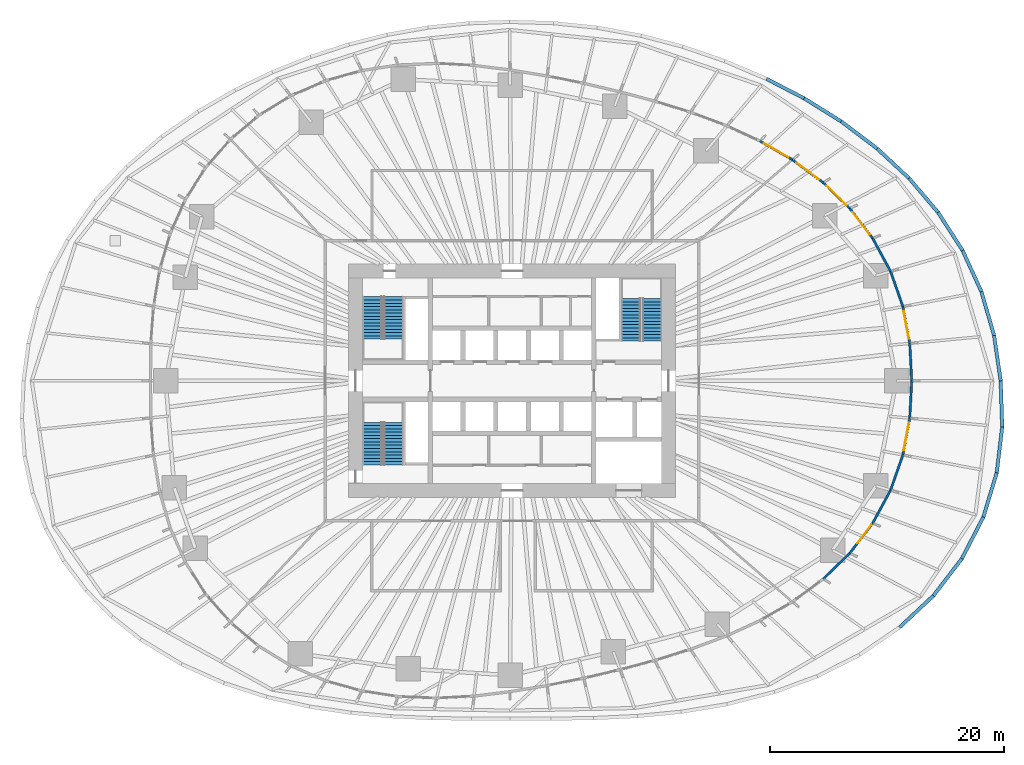
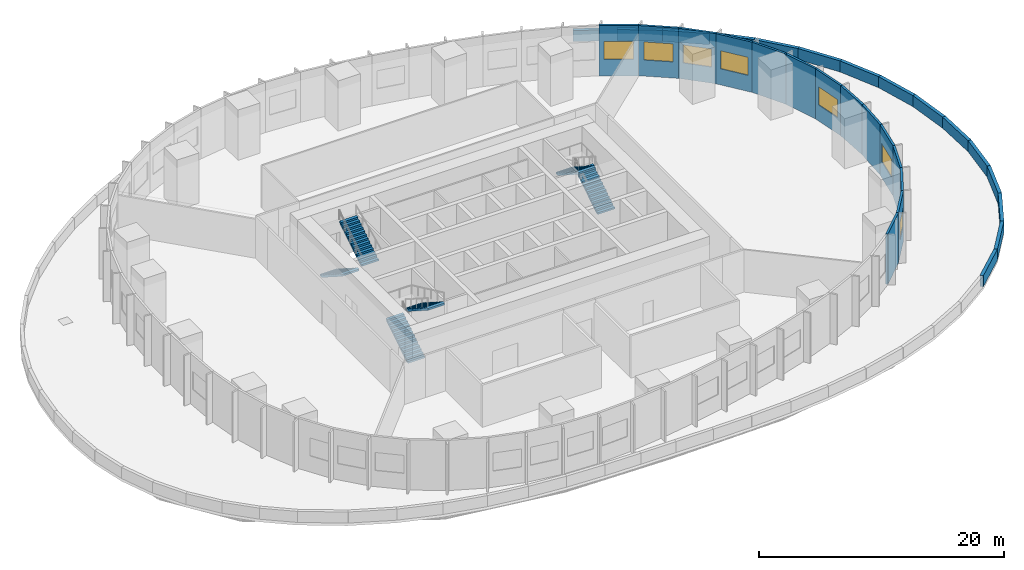
# One storey, part 10 of 11: 29 walls, 7 windows, 6 stair flights, 7 openings, 3 elements without a shape of their own.
"""IFC4 building model written with IfcOpenShell, lengths in metres."""

from ifc_helpers import new_model, si_unit, direction, frame, frame_2d, origin, place, context, subcontext, project, spatial, polyline, rectangle, outline, extrude, material, layer, layer_set, type_object, element, fill, aggregate, save


model = new_model("IFC4")

# Units and contexts
model_context = context("Model", 3, precision=1e-05, world=origin(), true_north=direction((0.0, 1.0)))
body_context = subcontext(model_context, "Body", "Model", "MODEL_VIEW")
ifc_project = project(units=[si_unit("LENGTHUNIT", "METRE"), si_unit("AREAUNIT", "SQUARE_METRE"), si_unit("VOLUMEUNIT", "CUBIC_METRE"), si_unit("PLANEANGLEUNIT", "RADIAN"), si_unit("MASSUNIT", "GRAM", prefix="KILO")], contexts=[model_context])

# Site, building, storey
site_placement = place(None, origin())
site = spatial("IfcSite", under=ifc_project, at=site_placement, CompositionType="ELEMENT")
building_placement = place(site_placement, origin())
building = spatial("IfcBuilding", under=site, at=building_placement, Name="Ghaith Harvest Tower", CompositionType="ELEMENT")
storey_placement = place(building_placement, frame((0.0, 0.0, 15.0)))
storey = spatial("IfcBuildingStorey", under=building, at=storey_placement, Name="L03", CompositionType="ELEMENT", Elevation=15.0)

# Walls
ifc_material_1 = material(Name="Concrete C40/50", Category="concrete")
ifc_layer_1 = layer(ifc_material_1, 0.300048828125)
ifc_layer_set_1 = layer_set([ifc_layer_1], Name="PARAPET 300")
wall_type_1 = type_object("IfcWallType", Name="PARAPET 300", PredefinedType="PARAPET", material=ifc_layer_set_1)
wall_1_placement = place(storey_placement, frame((41.85009765625, 0.0, 0.0), z_axis=(0.0, 0.0, 1.0), x_axis=(-0.144338621815, 0.989528353435, 0.0)))
element("IfcWall", 1, at=wall_1_placement, inside=storey, type_object=wall_type_1, Name="Parapet 01.1 L03", PredefinedType="PARAPET", context=body_context, shape_type="SweptSolid", body=[
    extrude(rectangle(XDim=3.924072265625, YDim=0.300048828125, at=frame_2d((1.9619140625, 0.0))), origin(), (0.0, 0.0, 1.0), 1.10009765625),
])
wall_2_placement = place(storey_placement, frame((41.28369140625, 3.883056640625, 0.0), z_axis=(0.0, 0.0, 1.0), x_axis=(-0.277547355965, 0.960711957455, 0.0)))
element("IfcWall", 2, at=wall_2_placement, inside=storey, type_object=wall_type_1, Name="Parapet 01.2 L03", PredefinedType="PARAPET", context=body_context, shape_type="SweptSolid", body=[
    extrude(rectangle(XDim=3.900390625, YDim=0.300048828125, at=frame_2d((1.9501953125, 0.0))), origin(), (0.0, 0.0, 1.0), 1.10009765625),
])
wall_3_placement = place(storey_placement, frame((40.201171875, 7.630126953125, 0.0), z_axis=(0.0, 0.0, 1.0), x_axis=(-0.41526967339, 0.9096983557, 0.0)))
element("IfcWall", 3, at=wall_3_placement, inside=storey, type_object=wall_type_1, Name="Parapet 01.3 L03", PredefinedType="PARAPET", context=body_context, shape_type="SweptSolid", body=[
    extrude(rectangle(XDim=3.873779296875, YDim=0.300048828125, at=frame_2d((1.93701171875, 0.0))), origin(), (0.0, 0.0, 1.0), 1.10009765625),
])
wall_4_placement = place(storey_placement, frame((38.592529296875, 11.154052734375, 0.0), z_axis=(0.0, 0.0, 1.0), x_axis=(-0.541452018852, 0.84073165236, 0.0)))
element("IfcWall", 4, at=wall_4_placement, inside=storey, type_object=wall_type_1, Name="Parapet 02.1 L03", PredefinedType="PARAPET", context=body_context, shape_type="SweptSolid", body=[
    extrude(rectangle(XDim=3.890380859375, YDim=0.300048828125, at=frame_2d((1.9453125, 0.0))), origin(), (0.0, 0.0, 1.0), 1.10009765625),
])
wall_5_placement = place(storey_placement, frame((36.486083984375, 14.4248046875, 0.0), z_axis=(0.0, 0.0, 1.0), x_axis=(-0.647757570893, 0.761846526113, 0.0)))
element("IfcWall", 5, at=wall_5_placement, inside=storey, type_object=wall_type_1, Name="Parapet 02.2 L03", PredefinedType="PARAPET", context=body_context, shape_type="SweptSolid", body=[
    extrude(rectangle(XDim=3.83056640625, YDim=0.300048828125, at=frame_2d((1.915283203125, 0.0))), origin(), (0.0, 0.0, 1.0), 1.10009765625),
])
wall_6_placement = place(storey_placement, frame((34.0048828125, 17.343017578125, 0.0), z_axis=(0.0, 0.0, 1.0), x_axis=(-0.731906301249, 0.681405287764, 0.0)))
element("IfcWall", 6, at=wall_6_placement, inside=storey, type_object=wall_type_1, Name="Parapet 02.3 L03", PredefinedType="PARAPET", context=body_context, shape_type="SweptSolid", body=[
    extrude(rectangle(XDim=3.74658203125, YDim=0.300048828125, at=frame_2d((1.873291015625, 0.0))), origin(), (0.0, 0.0, 1.0), 1.10009765625),
])
wall_7_placement = place(storey_placement, frame((31.2626953125, 19.89599609375, 0.0), z_axis=(0.0, 0.0, 1.0), x_axis=(-0.798079771582, 0.602551805401, 0.0)))
element("IfcWall", 7, at=wall_7_placement, inside=storey, type_object=wall_type_1, Name="Parapet 03.1 L03", PredefinedType="PARAPET", context=body_context, shape_type="SweptSolid", body=[
    extrude(rectangle(XDim=3.8681640625, YDim=0.300048828125, at=frame_2d((1.93408203125, 0.0))), origin(), (0.0, 0.0, 1.0), 1.10009765625),
])
wall_8_placement = place(storey_placement, frame((28.175537109375, 22.226806640625, 0.0), z_axis=(0.0, 0.0, 1.0), x_axis=(-0.849225926287, 0.528029664055, 0.0)))
element("IfcWall", 8, at=wall_8_placement, inside=storey, type_object=wall_type_1, Name="Parapet 03.2 L03", PredefinedType="PARAPET", context=body_context, shape_type="SweptSolid", body=[
    extrude(rectangle(XDim=3.73583984375, YDim=0.300048828125, at=frame_2d((1.867919921875, 0.0))), origin(), (0.0, 0.0, 1.0), 1.10009765625),
])
wall_9_placement = place(storey_placement, frame((25.0029296875, 24.199462890625, 0.0), z_axis=(0.0, 0.0, 1.0), x_axis=(-0.887868359636, 0.460097572214, 0.0)))
element("IfcWall", 9, at=wall_9_placement, inside=storey, type_object=wall_type_1, Name="Parapet 03.3 L03", PredefinedType="PARAPET", context=body_context, shape_type="SweptSolid", body=[
    extrude(rectangle(XDim=3.6025390625, YDim=0.300048828125, at=frame_2d((1.80126953125, 0.0))), origin(), (0.0, 0.0, 1.0), 1.10009765625),
])
wall_10_placement = place(storey_placement, frame((33.187744140625, -21.120849609375, 0.0), z_axis=(0.0, 0.0, 1.0), x_axis=(0.730393009237, 0.683027123955, 0.0)))
element("IfcWall", 10, at=wall_10_placement, inside=storey, type_object=wall_type_1, Name="Parapet 19.1 L03", PredefinedType="PARAPET", context=body_context, shape_type="SweptSolid", body=[
    extrude(rectangle(XDim=3.97412109375, YDim=0.300048828125, at=frame_2d((1.987060546875, 0.0))), origin(), (0.0, 0.0, 1.0), 1.10009765625),
])
wall_11_placement = place(storey_placement, frame((36.09033203125, -18.406494140625, 0.0), z_axis=(0.0, 0.0, 1.0), x_axis=(0.609153495606, 0.793052343033, 0.0)))
element("IfcWall", 11, at=wall_11_placement, inside=storey, type_object=wall_type_1, Name="Parapet 19.2 L03", PredefinedType="PARAPET", context=body_context, shape_type="SweptSolid", body=[
    extrude(rectangle(XDim=4.002685546875, YDim=0.300048828125, at=frame_2d((2.00146484375, 0.0))), origin(), (0.0, 0.0, 1.0), 1.10009765625),
])
wall_12_placement = place(storey_placement, frame((38.528564453125, -15.232177734375, 0.0), z_axis=(0.0, 0.0, 1.0), x_axis=(0.458835119983, 0.88852143062, 0.0)))
element("IfcWall", 12, at=wall_12_placement, inside=storey, type_object=wall_type_1, Name="Parapet 19.3 L03", PredefinedType="PARAPET", context=body_context, shape_type="SweptSolid", body=[
    extrude(rectangle(XDim=4.011962890625, YDim=0.300048828125, at=frame_2d((2.005859375, 0.0))), origin(), (0.0, 0.0, 1.0), 1.10009765625),
])
wall_13_placement = place(storey_placement, frame((40.369384765625, -11.66748046875, 0.0), z_axis=(0.0, 0.0, 1.0), x_axis=(0.289226485133, 0.9572606961, 0.0)))
element("IfcWall", 13, at=wall_13_placement, inside=storey, type_object=wall_type_1, Name="Parapet 20.1 L03", PredefinedType="PARAPET", context=body_context, shape_type="SweptSolid", body=[
    extrude(rectangle(XDim=3.957275390625, YDim=0.300048828125, at=frame_2d((1.978515625, 0.0))), origin(), (0.0, 0.0, 1.0), 1.10009765625),
])
wall_14_placement = place(storey_placement, frame((41.513916015625, -7.87939453125, 0.0), z_axis=(0.0, 0.0, 1.0), x_axis=(0.117685781696, 0.993050883282, 0.0)))
element("IfcWall", 14, at=wall_14_placement, inside=storey, type_object=wall_type_1, Name="Parapet 20.2 L03", PredefinedType="PARAPET", context=body_context, shape_type="SweptSolid", body=[
    extrude(rectangle(XDim=3.958251953125, YDim=0.300048828125, at=frame_2d((1.97900390625, 0.0))), origin(), (0.0, 0.0, 1.0), 1.10009765625),
])
wall_15_placement = place(storey_placement, frame((41.979736328125, -3.94873046875, 0.0), z_axis=(0.0, 0.0, 1.0), x_axis=(-0.032812789952, 0.999461515425, 0.0)))
element("IfcWall", 15, at=wall_15_placement, inside=storey, type_object=wall_type_1, Name="Parapet 20.3 L03", PredefinedType="PARAPET", context=body_context, shape_type="SweptSolid", body=[
    extrude(rectangle(XDim=3.950927734375, YDim=0.300048828125, at=frame_2d((1.9755859375, 0.0))), origin(), (0.0, 0.0, 1.0), 1.10009765625),
])
ifc_material_2 = material(Name="Steel, black insulated metal cladding panel", Category="steel")
ifc_layer_2 = layer(ifc_material_2, 0.199951171875)
ifc_layer_set_2 = layer_set([ifc_layer_2], Name="PLANT ENCLOSURE WALL 200")
wall_type_2 = type_object("IfcWallType", Name="PLANT ENCLOSURE WALL 200", PredefinedType="SOLIDWALL", material=ifc_layer_set_2)
wall_16_placement = place(storey_placement, frame((34.22509765625, 0.0, 0.0), z_axis=(0.0, 0.0, 1.0), x_axis=(-0.052055527152, 0.998644191939, 0.0)))
element("IfcWall", 16, at=wall_16_placement, inside=storey, type_object=wall_type_2, Name="Plant enclosure wall 01.1 L03", PredefinedType="SOLIDWALL", context=body_context, shape_type="SweptSolid", body=[
    extrude(rectangle(XDim=3.2080078125, YDim=0.199951171875, at=frame_2d((1.60400390625, 0.0))), origin(), (0.0, 0.0, 1.0), 5.0),
])

# Wall, opening, window
wall_17_placement = place(storey_placement, frame((34.05810546875, 3.20361328125, 0.0), z_axis=(0.0, 0.0, 1.0), x_axis=(-0.183598254388, 0.983001363674, 0.0)))
wall_17 = element("IfcWall", 17, at=wall_17_placement, inside=storey, type_object=wall_type_2, Name="Plant enclosure wall 01.2 L03", PredefinedType="SOLIDWALL", context=body_context, shape_type="SweptSolid", body=[
    extrude(rectangle(XDim=3.203369140625, YDim=0.199951171875, at=frame_2d((1.6015625, 0.0))), origin(), (0.0, 0.0, 1.0), 5.0),
])
opening_1_placement = place(wall_17_placement, frame((0.40185546875, 0.0, 1.60009765625)))
opening_1 = element("IfcOpeningElement", 18, at=opening_1_placement, cuts=wall_17, Name="Opening LV1", PredefinedType="OPENING", context=body_context, shape_type="SweptSolid", body=[
    extrude(rectangle(XDim=2.39990234375, YDim=1.800048828125, at=frame_2d((1.199951171875, 0.89990234375))), frame((0.0, 0.10986328125, 0.0), z_axis=(0.0, -1.0, 0.0), x_axis=(1.0, 0.0, 0.0)), (0.0, 0.0, 1.0), 0.219970703125),
])
ifc_material_3 = material(Name="Aluminium louvre, black", Category="aluminium")
window_type_1 = type_object("IfcWindowType", Name="LOUVRE L1 2400x1800", PartitioningType="SINGLE_PANEL", PredefinedType="WINDOW", material=ifc_material_3)
window_1_placement = place(opening_1_placement, origin())
window_1 = element("IfcWindow", 19, at=window_1_placement, inside=storey, type_object=window_type_1, Name="Plant louvre 01.2 L03", OverallHeight=1.800048828125, OverallWidth=2.39990234375, PartitioningType="SINGLE_PANEL", PredefinedType="WINDOW", context=body_context, shape_type="SweptSolid", body=[
    extrude(rectangle(XDim=2.39990234375, YDim=1.800048828125, at=frame_2d((1.199951171875, 0.89990234375))), frame((0.0, 0.030029296875, 0.0), z_axis=(0.0, -1.0, 0.0), x_axis=(1.0, 0.0, 0.0)), (0.0, 0.0, 1.0), 0.06005859375),
])
fill(opening_1, window_1)

# Walls
wall_18_placement = place(storey_placement, frame((33.469970703125, 6.3525390625, 0.0), z_axis=(0.0, 0.0, 1.0), x_axis=(-0.330312986114, 0.943871459048, 0.0)))
element("IfcWall", 20, at=wall_18_placement, inside=storey, type_object=wall_type_2, Name="Plant enclosure wall 01.3 L03", PredefinedType="SOLIDWALL", context=body_context, shape_type="SweptSolid", body=[
    extrude(rectangle(XDim=3.1953125, YDim=0.199951171875, at=frame_2d((1.59765625, 0.0))), origin(), (0.0, 0.0, 1.0), 5.0),
])
wall_19_placement = place(storey_placement, frame((32.41455078125, 9.368408203125, 0.0), z_axis=(0.0, 0.0, 1.0), x_axis=(-0.475929838949, 0.879483250777, 0.0)))
element("IfcWall", 21, at=wall_19_placement, inside=storey, type_object=wall_type_2, Name="Plant enclosure wall 02.1 L03", PredefinedType="SOLIDWALL", context=body_context, shape_type="SweptSolid", body=[
    extrude(rectangle(XDim=3.228271484375, YDim=0.199951171875, at=frame_2d((1.6142578125, 0.0))), origin(), (0.0, 0.0, 1.0), 5.0),
])

# Wall, opening, window
wall_20_placement = place(storey_placement, frame((30.878173828125, 12.20751953125, 0.0), z_axis=(0.0, 0.0, 1.0), x_axis=(-0.607718510509, 0.794152511791, 0.0)))
wall_20 = element("IfcWall", 22, at=wall_20_placement, inside=storey, type_object=wall_type_2, Name="Plant enclosure wall 02.2 L03", PredefinedType="SOLIDWALL", context=body_context, shape_type="SweptSolid", body=[
    extrude(rectangle(XDim=3.20703125, YDim=0.199951171875, at=frame_2d((1.603515625, 0.0))), origin(), (0.0, 0.0, 1.0), 5.0),
])
opening_2_placement = place(wall_20_placement, frame((0.4033203125, 0.0, 1.60009765625)))
opening_2 = element("IfcOpeningElement", 23, at=opening_2_placement, cuts=wall_20, Name="Opening LV1", PredefinedType="OPENING", context=body_context, shape_type="SweptSolid", body=[
    extrude(rectangle(XDim=2.39990234375, YDim=1.800048828125, at=frame_2d((1.199951171875, 0.89990234375))), frame((0.0, 0.10986328125, 0.0), z_axis=(0.0, -1.0, 0.0), x_axis=(1.0, 0.0, 0.0)), (0.0, 0.0, 1.0), 0.219970703125),
])
window_2_placement = place(opening_2_placement, origin())
window_2 = element("IfcWindow", 24, at=window_2_placement, inside=storey, type_object=window_type_1, Name="Plant louvre 02.2 L03", OverallHeight=1.800048828125, OverallWidth=2.39990234375, PartitioningType="SINGLE_PANEL", PredefinedType="WINDOW", context=body_context, shape_type="SweptSolid", body=[
    extrude(rectangle(XDim=2.39990234375, YDim=1.800048828125, at=frame_2d((1.199951171875, 0.89990234375))), frame((0.0, 0.030029296875, 0.0), z_axis=(0.0, -1.0, 0.0), x_axis=(1.0, 0.0, 0.0)), (0.0, 0.0, 1.0), 0.06005859375),
])
fill(opening_2, window_2)

wall_21_placement = place(storey_placement, frame((28.92919921875, 14.75439453125, 0.0), z_axis=(0.0, 0.0, 1.0), x_axis=(-0.716782107905, 0.697297217682, 0.0)))
wall_21 = element("IfcWall", 25, at=wall_21_placement, inside=storey, type_object=wall_type_2, Name="Plant enclosure wall 02.3 L03", PredefinedType="SOLIDWALL", context=body_context, shape_type="SweptSolid", body=[
    extrude(rectangle(XDim=3.169921875, YDim=0.199951171875, at=frame_2d((1.5849609375, 0.0))), origin(), (0.0, 0.0, 1.0), 5.0),
])
opening_3_placement = place(wall_21_placement, frame((0.385009765625, 0.0, 1.60009765625)))
opening_3 = element("IfcOpeningElement", 26, at=opening_3_placement, cuts=wall_21, Name="Opening LV1", PredefinedType="OPENING", context=body_context, shape_type="SweptSolid", body=[
    extrude(rectangle(XDim=2.39990234375, YDim=1.800048828125, at=frame_2d((1.199951171875, 0.89990234375))), frame((0.0, 0.10986328125, 0.0), z_axis=(0.0, -1.0, 0.0), x_axis=(1.0, 0.0, 0.0)), (0.0, 0.0, 1.0), 0.219970703125),
])
window_3_placement = place(opening_3_placement, origin())
window_3 = element("IfcWindow", 27, at=window_3_placement, inside=storey, type_object=window_type_1, Name="Plant louvre 02.3 L03", OverallHeight=1.800048828125, OverallWidth=2.39990234375, PartitioningType="SINGLE_PANEL", PredefinedType="WINDOW", context=body_context, shape_type="SweptSolid", body=[
    extrude(rectangle(XDim=2.39990234375, YDim=1.800048828125, at=frame_2d((1.199951171875, 0.89990234375))), frame((0.0, 0.030029296875, 0.0), z_axis=(0.0, -1.0, 0.0), x_axis=(1.0, 0.0, 0.0)), (0.0, 0.0, 1.0), 0.06005859375),
])
fill(opening_3, window_3)

wall_22_placement = place(storey_placement, frame((26.656982421875, 16.96484375, 0.0), z_axis=(0.0, 0.0, 1.0), x_axis=(-0.803003388377, 0.595974461076, 0.0)))
wall_22 = element("IfcWall", 28, at=wall_22_placement, inside=storey, type_object=wall_type_2, Name="Plant enclosure wall 03.1 L03", PredefinedType="SOLIDWALL", context=body_context, shape_type="SweptSolid", body=[
    extrude(rectangle(XDim=3.305419921875, YDim=0.199951171875, at=frame_2d((1.65283203125, 0.0))), origin(), (0.0, 0.0, 1.0), 5.0),
])
opening_4_placement = place(wall_22_placement, frame((0.452880859375, 0.0, 1.60009765625)))
opening_4 = element("IfcOpeningElement", 29, at=opening_4_placement, cuts=wall_22, Name="Opening LV1", PredefinedType="OPENING", context=body_context, shape_type="SweptSolid", body=[
    extrude(rectangle(XDim=2.39990234375, YDim=1.800048828125, at=frame_2d((1.199951171875, 0.89990234375))), frame((0.0, 0.10986328125, 0.0), z_axis=(0.0, -1.0, 0.0), x_axis=(1.0, 0.0, 0.0)), (0.0, 0.0, 1.0), 0.219970703125),
])
window_4_placement = place(opening_4_placement, origin())
window_4 = element("IfcWindow", 30, at=window_4_placement, inside=storey, type_object=window_type_1, Name="Plant louvre 03.1 L03", OverallHeight=1.800048828125, OverallWidth=2.39990234375, PartitioningType="SINGLE_PANEL", PredefinedType="WINDOW", context=body_context, shape_type="SweptSolid", body=[
    extrude(rectangle(XDim=2.39990234375, YDim=1.800048828125, at=frame_2d((1.199951171875, 0.89990234375))), frame((0.0, 0.030029296875, 0.0), z_axis=(0.0, -1.0, 0.0), x_axis=(1.0, 0.0, 0.0)), (0.0, 0.0, 1.0), 0.06005859375),
])
fill(opening_4, window_4)

wall_23_placement = place(storey_placement, frame((24.002685546875, 18.934814453125, 0.0), z_axis=(0.0, 0.0, 1.0), x_axis=(-0.866247604337, 0.499614939709, 0.0)))
wall_23 = element("IfcWall", 31, at=wall_23_placement, inside=storey, type_object=wall_type_2, Name="Plant enclosure wall 03.2 L03", PredefinedType="SOLIDWALL", context=body_context, shape_type="SweptSolid", body=[
    extrude(rectangle(XDim=3.2109375, YDim=0.199951171875, at=frame_2d((1.60546875, 0.0))), origin(), (0.0, 0.0, 1.0), 5.0),
])
opening_5_placement = place(wall_23_placement, frame((0.405517578125, 0.0, 1.60009765625)))
opening_5 = element("IfcOpeningElement", 32, at=opening_5_placement, cuts=wall_23, Name="Opening LV1", PredefinedType="OPENING", context=body_context, shape_type="SweptSolid", body=[
    extrude(rectangle(XDim=2.39990234375, YDim=1.800048828125, at=frame_2d((1.199951171875, 0.89990234375))), frame((0.0, 0.10986328125, 0.0), z_axis=(0.0, -1.0, 0.0), x_axis=(1.0, 0.0, 0.0)), (0.0, 0.0, 1.0), 0.219970703125),
])
window_5_placement = place(opening_5_placement, origin())
window_5 = element("IfcWindow", 33, at=window_5_placement, inside=storey, type_object=window_type_1, Name="Plant louvre 03.2 L03", OverallHeight=1.800048828125, OverallWidth=2.39990234375, PartitioningType="SINGLE_PANEL", PredefinedType="WINDOW", context=body_context, shape_type="SweptSolid", body=[
    extrude(rectangle(XDim=2.39990234375, YDim=1.800048828125, at=frame_2d((1.199951171875, 0.89990234375))), frame((0.0, 0.030029296875, 0.0), z_axis=(0.0, -1.0, 0.0), x_axis=(1.0, 0.0, 0.0)), (0.0, 0.0, 1.0), 0.06005859375),
])
fill(opening_5, window_5)

# Wall
wall_24_placement = place(storey_placement, frame((26.656982421875, -16.96484375, 0.0), z_axis=(0.0, 0.0, 1.0), x_axis=(0.716782107905, 0.697297217682, 0.0)))
element("IfcWall", 34, at=wall_24_placement, inside=storey, type_object=wall_type_2, Name="Plant enclosure wall 19.1 L03", PredefinedType="SOLIDWALL", context=body_context, shape_type="SweptSolid", body=[
    extrude(rectangle(XDim=3.169921875, YDim=0.199951171875, at=frame_2d((1.5849609375, 0.0))), origin(), (0.0, 0.0, 1.0), 5.0),
])

# Wall, opening, window
wall_25_placement = place(storey_placement, frame((28.92919921875, -14.75439453125, 0.0), z_axis=(0.0, 0.0, 1.0), x_axis=(0.607718510509, 0.794152511791, 0.0)))
wall_25 = element("IfcWall", 35, at=wall_25_placement, inside=storey, type_object=wall_type_2, Name="Plant enclosure wall 19.2 L03", PredefinedType="SOLIDWALL", context=body_context, shape_type="SweptSolid", body=[
    extrude(rectangle(XDim=3.20703125, YDim=0.199951171875, at=frame_2d((1.603515625, 0.0))), origin(), (0.0, 0.0, 1.0), 5.0),
])
opening_6_placement = place(wall_25_placement, frame((1.05712890625, 0.0, 1.60009765625)))
opening_6 = element("IfcOpeningElement", 36, at=opening_6_placement, cuts=wall_25, Name="Opening LV2", PredefinedType="OPENING", context=body_context, shape_type="SweptSolid", body=[
    extrude(rectangle(XDim=2.0, YDim=1.800048828125, at=frame_2d((1.0, 0.89990234375))), frame((0.0, 0.10986328125, 0.0), z_axis=(0.0, -1.0, 0.0), x_axis=(1.0, 0.0, 0.0)), (0.0, 0.0, 1.0), 0.219970703125),
])
ifc_material_4 = material(Name="Aluminium louvre, black", Category="aluminium")
window_type_2 = type_object("IfcWindowType", Name="LOUVRE L2 2000x1800", PartitioningType="SINGLE_PANEL", PredefinedType="WINDOW", material=ifc_material_4)
window_6_placement = place(opening_6_placement, origin())
window_6 = element("IfcWindow", 37, at=window_6_placement, inside=storey, type_object=window_type_2, Name="Plant louvre 19.2 L03", OverallHeight=1.800048828125, OverallWidth=2.0, PartitioningType="SINGLE_PANEL", PredefinedType="WINDOW", context=body_context, shape_type="SweptSolid", body=[
    extrude(rectangle(XDim=2.0, YDim=1.800048828125, at=frame_2d((1.0, 0.89990234375))), frame((0.0, 0.030029296875, 0.0), z_axis=(0.0, -1.0, 0.0), x_axis=(1.0, 0.0, 0.0)), (0.0, 0.0, 1.0), 0.06005859375),
])
fill(opening_6, window_6)

# Walls
wall_26_placement = place(storey_placement, frame((30.878173828125, -12.20751953125, 0.0), z_axis=(0.0, 0.0, 1.0), x_axis=(0.475929838949, 0.879483250777, 0.0)))
element("IfcWall", 38, at=wall_26_placement, inside=storey, type_object=wall_type_2, Name="Plant enclosure wall 19.3 L03", PredefinedType="SOLIDWALL", context=body_context, shape_type="SweptSolid", body=[
    extrude(rectangle(XDim=3.228271484375, YDim=0.199951171875, at=frame_2d((1.6142578125, 0.0))), origin(), (0.0, 0.0, 1.0), 5.0),
])
wall_27_placement = place(storey_placement, frame((32.41455078125, -9.368408203125, 0.0), z_axis=(0.0, 0.0, 1.0), x_axis=(0.330312986114, 0.943871459048, 0.0)))
element("IfcWall", 39, at=wall_27_placement, inside=storey, type_object=wall_type_2, Name="Plant enclosure wall 20.1 L03", PredefinedType="SOLIDWALL", context=body_context, shape_type="SweptSolid", body=[
    extrude(rectangle(XDim=3.1953125, YDim=0.199951171875, at=frame_2d((1.59765625, 0.0))), origin(), (0.0, 0.0, 1.0), 5.0),
])

# Wall, opening, window
wall_28_placement = place(storey_placement, frame((33.469970703125, -6.3525390625, 0.0), z_axis=(0.0, 0.0, 1.0), x_axis=(0.183598254388, 0.983001363674, 0.0)))
wall_28 = element("IfcWall", 40, at=wall_28_placement, inside=storey, type_object=wall_type_2, Name="Plant enclosure wall 20.2 L03", PredefinedType="SOLIDWALL", context=body_context, shape_type="SweptSolid", body=[
    extrude(rectangle(XDim=3.203369140625, YDim=0.199951171875, at=frame_2d((1.6015625, 0.0))), origin(), (0.0, 0.0, 1.0), 5.0),
])
opening_7_placement = place(wall_28_placement, frame((0.40185546875, 0.0, 1.60009765625)))
opening_7 = element("IfcOpeningElement", 41, at=opening_7_placement, cuts=wall_28, Name="Opening LV1", PredefinedType="OPENING", context=body_context, shape_type="SweptSolid", body=[
    extrude(rectangle(XDim=2.39990234375, YDim=1.800048828125, at=frame_2d((1.199951171875, 0.89990234375))), frame((0.0, 0.10986328125, 0.0), z_axis=(0.0, -1.0, 0.0), x_axis=(1.0, 0.0, 0.0)), (0.0, 0.0, 1.0), 0.219970703125),
])
window_7_placement = place(opening_7_placement, origin())
window_7 = element("IfcWindow", 42, at=window_7_placement, inside=storey, type_object=window_type_1, Name="Plant louvre 20.2 L03", OverallHeight=1.800048828125, OverallWidth=2.39990234375, PartitioningType="SINGLE_PANEL", PredefinedType="WINDOW", context=body_context, shape_type="SweptSolid", body=[
    extrude(rectangle(XDim=2.39990234375, YDim=1.800048828125, at=frame_2d((1.199951171875, 0.89990234375))), frame((0.0, 0.030029296875, 0.0), z_axis=(0.0, -1.0, 0.0), x_axis=(1.0, 0.0, 0.0)), (0.0, 0.0, 1.0), 0.06005859375),
])
fill(opening_7, window_7)

# Wall
wall_29_placement = place(storey_placement, frame((34.05810546875, -3.20361328125, 0.0), z_axis=(0.0, 0.0, 1.0), x_axis=(0.052055527152, 0.998644191939, 0.0)))
element("IfcWall", 43, at=wall_29_placement, inside=storey, type_object=wall_type_2, Name="Plant enclosure wall 20.3 L03", PredefinedType="SOLIDWALL", context=body_context, shape_type="SweptSolid", body=[
    extrude(rectangle(XDim=3.2080078125, YDim=0.199951171875, at=frame_2d((1.60400390625, 0.0))), origin(), (0.0, 0.0, 1.0), 5.0),
])

# Stair, stair flights
ifc_material_5 = material(Name="Concrete C40/50, precast", Category="concrete")
stair_type = type_object("IfcStairType", Name="CORE STAIR 28R", PredefinedType="HALF_TURN_STAIR", material=ifc_material_5)
stair_1_placement = place(storey_placement, origin())
stair_1 = element("IfcStair", 44, at=stair_1_placement, inside=storey, type_object=stair_type, Name="Stair ST1 L03", PredefinedType="HALF_TURN_STAIR")
ifc_material_6 = material(Name="Concrete C40/50, precast", Category="concrete")
stair_flight_type = type_object("IfcStairFlightType", Name="CORE FLIGHT 14R 1600", PredefinedType="STRAIGHT", material=ifc_material_6)
stair_flight_1_placement = place(storey_placement, frame((-12.0, 7.199951171875, 0.0), z_axis=(0.0, 0.0, 1.0), x_axis=(0.0, -1.0, 0.0)))
stair_flight_1 = element("IfcStairFlight", 45, at=stair_flight_1_placement, type_object=stair_flight_type, Name="ST1 flight 1", NumberOfRisers=14, NumberOfTreads=13, PredefinedType="STRAIGHT", RiserHeight=0.178571429, TreadLength=0.28, context=body_context, shape_type="SweptSolid", body=[
    extrude(outline(polyline([(0.0, 0.0), (0.0, 0.178466796875), (0.280029296875, 0.178466796875), (0.280029296875, 0.357177734375), (0.56005859375, 0.357177734375), (0.56005859375, 0.53564453125), (0.840087890625, 0.53564453125), (0.840087890625, 0.71435546875), (1.1201171875, 0.71435546875), (1.1201171875, 0.892822265625), (1.39990234375, 0.892822265625), (1.39990234375, 1.071533203125), (1.679931640625, 1.071533203125), (1.679931640625, 1.25), (1.9599609375, 1.25), (1.9599609375, 1.428466796875), (2.239990234375, 1.428466796875), (2.239990234375, 1.607177734375), (2.52001953125, 1.607177734375), (2.52001953125, 1.78564453125), (2.800048828125, 1.78564453125), (2.800048828125, 1.96435546875), (3.080078125, 1.96435546875), (3.080078125, 2.142822265625), (3.360107421875, 2.142822265625), (3.360107421875, 2.321533203125), (3.639892578125, 2.321533203125), (3.639892578125, 2.5), (3.639892578125, 2.1435546875), (0.27880859375, 0.0), (0.0, 0.0)])), frame((0.0, 0.800048828125, 0.0), z_axis=(0.0, -1.0, 0.0), x_axis=(1.0, 0.0, 0.0)), (0.0, 0.0, 1.0), 1.60009765625),
])
stair_flight_2_placement = place(storey_placement, frame((-10.14990234375, 3.56005859375, 2.5), z_axis=(0.0, 0.0, 1.0), x_axis=(0.0, 1.0, 0.0)))
stair_flight_2 = element("IfcStairFlight", 46, at=stair_flight_2_placement, type_object=stair_flight_type, Name="ST1 flight 2", NumberOfRisers=14, NumberOfTreads=13, PredefinedType="STRAIGHT", RiserHeight=0.178571429, TreadLength=0.28, context=body_context, shape_type="SweptSolid", body=[
    extrude(outline(polyline([(0.0, 0.0), (0.0, 0.178466796875), (0.280029296875, 0.178466796875), (0.280029296875, 0.357177734375), (0.56005859375, 0.357177734375), (0.56005859375, 0.53564453125), (0.840087890625, 0.53564453125), (0.840087890625, 0.71435546875), (1.1201171875, 0.71435546875), (1.1201171875, 0.892822265625), (1.39990234375, 0.892822265625), (1.39990234375, 1.071533203125), (1.679931640625, 1.071533203125), (1.679931640625, 1.25), (1.9599609375, 1.25), (1.9599609375, 1.428466796875), (2.239990234375, 1.428466796875), (2.239990234375, 1.607177734375), (2.52001953125, 1.607177734375), (2.52001953125, 1.78564453125), (2.800048828125, 1.78564453125), (2.800048828125, 1.96435546875), (3.080078125, 1.96435546875), (3.080078125, 2.142822265625), (3.360107421875, 2.142822265625), (3.360107421875, 2.321533203125), (3.639892578125, 2.321533203125), (3.639892578125, 2.5), (3.639892578125, 2.1435546875), (0.27880859375, 0.0), (0.0, 0.0)])), frame((0.0, 0.800048828125, 0.0), z_axis=(0.0, -1.0, 0.0), x_axis=(1.0, 0.0, 0.0)), (0.0, 0.0, 1.0), 1.60009765625),
])
aggregate(stair_1, [stair_flight_1, stair_flight_2])

stair_2_placement = place(storey_placement, origin())
stair_2 = element("IfcStair", 47, at=stair_2_placement, inside=storey, type_object=stair_type, Name="Stair ST3 L03", PredefinedType="HALF_TURN_STAIR")
stair_flight_3_placement = place(storey_placement, frame((-12.0, -7.199951171875, 0.0), z_axis=(0.0, 0.0, 1.0), x_axis=(0.0, 1.0, 0.0)))
stair_flight_3 = element("IfcStairFlight", 48, at=stair_flight_3_placement, type_object=stair_flight_type, Name="ST3 flight 1", NumberOfRisers=14, NumberOfTreads=13, PredefinedType="STRAIGHT", RiserHeight=0.178571429, TreadLength=0.28, context=body_context, shape_type="SweptSolid", body=[
    extrude(outline(polyline([(0.0, 0.0), (0.0, 0.178466796875), (0.280029296875, 0.178466796875), (0.280029296875, 0.357177734375), (0.56005859375, 0.357177734375), (0.56005859375, 0.53564453125), (0.840087890625, 0.53564453125), (0.840087890625, 0.71435546875), (1.1201171875, 0.71435546875), (1.1201171875, 0.892822265625), (1.39990234375, 0.892822265625), (1.39990234375, 1.071533203125), (1.679931640625, 1.071533203125), (1.679931640625, 1.25), (1.9599609375, 1.25), (1.9599609375, 1.428466796875), (2.239990234375, 1.428466796875), (2.239990234375, 1.607177734375), (2.52001953125, 1.607177734375), (2.52001953125, 1.78564453125), (2.800048828125, 1.78564453125), (2.800048828125, 1.96435546875), (3.080078125, 1.96435546875), (3.080078125, 2.142822265625), (3.360107421875, 2.142822265625), (3.360107421875, 2.321533203125), (3.639892578125, 2.321533203125), (3.639892578125, 2.5), (3.639892578125, 2.1435546875), (0.27880859375, 0.0), (0.0, 0.0)])), frame((0.0, 0.800048828125, 0.0), z_axis=(0.0, -1.0, 0.0), x_axis=(1.0, 0.0, 0.0)), (0.0, 0.0, 1.0), 1.60009765625),
])
stair_flight_4_placement = place(storey_placement, frame((-10.14990234375, -3.56005859375, 2.5), z_axis=(0.0, 0.0, 1.0), x_axis=(0.0, -1.0, 0.0)))
stair_flight_4 = element("IfcStairFlight", 49, at=stair_flight_4_placement, type_object=stair_flight_type, Name="ST3 flight 2", NumberOfRisers=14, NumberOfTreads=13, PredefinedType="STRAIGHT", RiserHeight=0.178571429, TreadLength=0.28, context=body_context, shape_type="SweptSolid", body=[
    extrude(outline(polyline([(0.0, 0.0), (0.0, 0.178466796875), (0.280029296875, 0.178466796875), (0.280029296875, 0.357177734375), (0.56005859375, 0.357177734375), (0.56005859375, 0.53564453125), (0.840087890625, 0.53564453125), (0.840087890625, 0.71435546875), (1.1201171875, 0.71435546875), (1.1201171875, 0.892822265625), (1.39990234375, 0.892822265625), (1.39990234375, 1.071533203125), (1.679931640625, 1.071533203125), (1.679931640625, 1.25), (1.9599609375, 1.25), (1.9599609375, 1.428466796875), (2.239990234375, 1.428466796875), (2.239990234375, 1.607177734375), (2.52001953125, 1.607177734375), (2.52001953125, 1.78564453125), (2.800048828125, 1.78564453125), (2.800048828125, 1.96435546875), (3.080078125, 1.96435546875), (3.080078125, 2.142822265625), (3.360107421875, 2.142822265625), (3.360107421875, 2.321533203125), (3.639892578125, 2.321533203125), (3.639892578125, 2.5), (3.639892578125, 2.1435546875), (0.27880859375, 0.0), (0.0, 0.0)])), frame((0.0, 0.800048828125, 0.0), z_axis=(0.0, -1.0, 0.0), x_axis=(1.0, 0.0, 0.0)), (0.0, 0.0, 1.0), 1.60009765625),
])
aggregate(stair_2, [stair_flight_3, stair_flight_4])

stair_3_placement = place(storey_placement, origin())
stair_3 = element("IfcStair", 50, at=stair_3_placement, inside=storey, type_object=stair_type, Name="Stair ST2 L03", PredefinedType="HALF_TURN_STAIR")
stair_flight_5_placement = place(storey_placement, frame((12.0, 3.39990234375, 0.0), z_axis=(0.0, 0.0, 1.0), x_axis=(0.0, 1.0, 0.0)))
stair_flight_5 = element("IfcStairFlight", 51, at=stair_flight_5_placement, type_object=stair_flight_type, Name="ST2 flight 1", NumberOfRisers=14, NumberOfTreads=13, PredefinedType="STRAIGHT", RiserHeight=0.178571429, TreadLength=0.28, context=body_context, shape_type="SweptSolid", body=[
    extrude(outline(polyline([(0.0, 0.0), (0.0, 0.178466796875), (0.280029296875, 0.178466796875), (0.280029296875, 0.357177734375), (0.56005859375, 0.357177734375), (0.56005859375, 0.53564453125), (0.840087890625, 0.53564453125), (0.840087890625, 0.71435546875), (1.1201171875, 0.71435546875), (1.1201171875, 0.892822265625), (1.39990234375, 0.892822265625), (1.39990234375, 1.071533203125), (1.679931640625, 1.071533203125), (1.679931640625, 1.25), (1.9599609375, 1.25), (1.9599609375, 1.428466796875), (2.239990234375, 1.428466796875), (2.239990234375, 1.607177734375), (2.52001953125, 1.607177734375), (2.52001953125, 1.78564453125), (2.800048828125, 1.78564453125), (2.800048828125, 1.96435546875), (3.080078125, 1.96435546875), (3.080078125, 2.142822265625), (3.360107421875, 2.142822265625), (3.360107421875, 2.321533203125), (3.639892578125, 2.321533203125), (3.639892578125, 2.5), (3.639892578125, 2.1435546875), (0.27880859375, 0.0), (0.0, 0.0)])), frame((0.0, 0.800048828125, 0.0), z_axis=(0.0, -1.0, 0.0), x_axis=(1.0, 0.0, 0.0)), (0.0, 0.0, 1.0), 1.60009765625),
])
stair_flight_6_placement = place(storey_placement, frame((10.14990234375, 7.0400390625, 2.5), z_axis=(0.0, 0.0, 1.0), x_axis=(0.0, -1.0, 0.0)))
stair_flight_6 = element("IfcStairFlight", 52, at=stair_flight_6_placement, type_object=stair_flight_type, Name="ST2 flight 2", NumberOfRisers=14, NumberOfTreads=13, PredefinedType="STRAIGHT", RiserHeight=0.178571429, TreadLength=0.28, context=body_context, shape_type="SweptSolid", body=[
    extrude(outline(polyline([(0.0, 0.0), (0.0, 0.178466796875), (0.280029296875, 0.178466796875), (0.280029296875, 0.357177734375), (0.56005859375, 0.357177734375), (0.56005859375, 0.53564453125), (0.840087890625, 0.53564453125), (0.840087890625, 0.71435546875), (1.1201171875, 0.71435546875), (1.1201171875, 0.892822265625), (1.39990234375, 0.892822265625), (1.39990234375, 1.071533203125), (1.679931640625, 1.071533203125), (1.679931640625, 1.25), (1.9599609375, 1.25), (1.9599609375, 1.428466796875), (2.239990234375, 1.428466796875), (2.239990234375, 1.607177734375), (2.52001953125, 1.607177734375), (2.52001953125, 1.78564453125), (2.800048828125, 1.78564453125), (2.800048828125, 1.96435546875), (3.080078125, 1.96435546875), (3.080078125, 2.142822265625), (3.360107421875, 2.142822265625), (3.360107421875, 2.321533203125), (3.639892578125, 2.321533203125), (3.639892578125, 2.5), (3.639892578125, 2.1435546875), (0.27880859375, 0.0), (0.0, 0.0)])), frame((0.0, 0.800048828125, 0.0), z_axis=(0.0, -1.0, 0.0), x_axis=(1.0, 0.0, 0.0)), (0.0, 0.0, 1.0), 1.60009765625),
])
aggregate(stair_3, [stair_flight_5, stair_flight_6])

save(model, "model.ifc")
